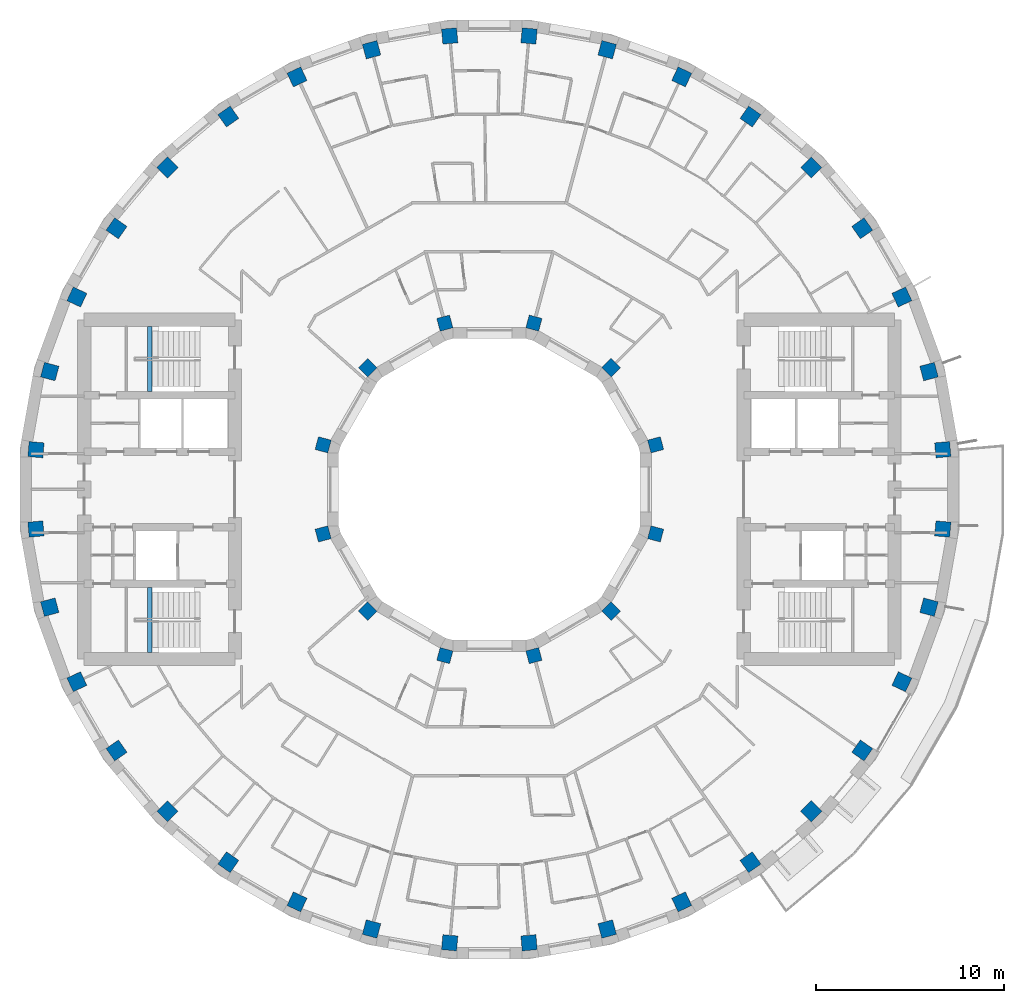
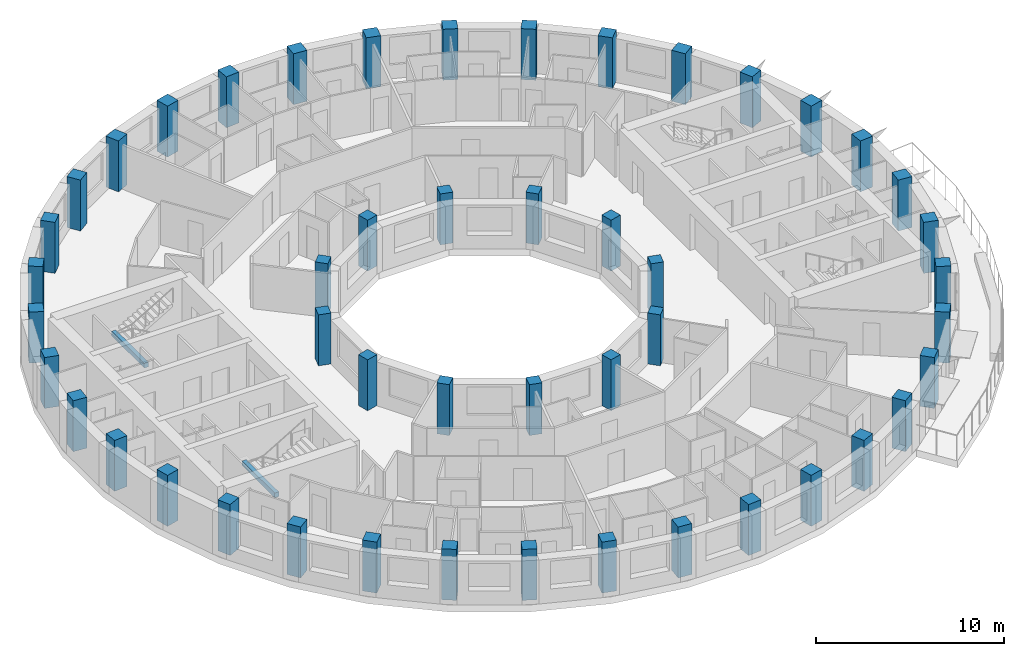
# One storey, part 1 of 14: 48 columns, 2 beams.
"""IFC4 building model written with IfcOpenShell, lengths in metres."""

from ifc_helpers import new_model, si_unit, direction, frame, origin, origin_2d, place, context, subcontext, project, spatial, rectangle, extrude, material, material_profile, profile_set, type_object, element, save


model = new_model("IFC4")

# Units and contexts
model_context = context("Model", 3, precision=1e-05, world=origin(), true_north=direction((0.0, 1.0)))
body_context = subcontext(model_context, "Body", "Model", "MODEL_VIEW")
ifc_project = project(units=[si_unit("LENGTHUNIT", "METRE"), si_unit("AREAUNIT", "SQUARE_METRE"), si_unit("VOLUMEUNIT", "CUBIC_METRE"), si_unit("PLANEANGLEUNIT", "RADIAN"), si_unit("MASSUNIT", "GRAM", prefix="KILO")], contexts=[model_context])

# Site, building, storey
site_placement = place(None, origin())
site = spatial("IfcSite", under=ifc_project, at=site_placement, CompositionType="ELEMENT")
building_placement = place(site_placement, origin())
building = spatial("IfcBuilding", under=site, at=building_placement, Name="Saqina Gate Tower", CompositionType="ELEMENT")
storey_placement = place(building_placement, frame((0.0, 0.0, 177.300048828125)))
storey = spatial("IfcBuildingStorey", under=building, at=storey_placement, Name="L50", CompositionType="ELEMENT", Elevation=177.300048828125)

# Columns
ifc_material_1 = material(Name="Concrete C60/75", Category="concrete")
ifc_material_profile_1 = material_profile(ifc_material_1, rectangle(XDim=0.699951171875, YDim=0.699951171875, at=origin_2d()), Name="RC 700x700")
ifc_profile_set_1 = profile_set([ifc_material_profile_1], Name="Concrete C60/75")
column_type_1 = type_object("IfcColumnType", Name="STR-COL-IN-C", PredefinedType="COLUMN", material=ifc_profile_set_1)
for number, where, z_axis, x_axis, name in (
    (1, (8.821044921875, 2.363525390625, 0.0), (0.0, 0.0, 1.0), (0.965925826289, 0.258819045103, 0.0), "L50-ICL01"),
    (2, (6.45751953125, 6.45751953125, 0.0), (0.0, 0.0, 1.0), (0.707106781187, 0.707106781187, 0.0), "L50-ICL02"),
    (3, (2.363525390625, 8.821044921875, 0.0), (0.0, 0.0, 1.0), (0.258819045103, 0.965925826289, 0.0), "L50-ICL03"),
    (4, (-2.363525390625, 8.821044921875, 0.0), (0.0, 0.0, 1.0), (-0.258819045103, 0.965925826289, 0.0), "L50-ICL04"),
    (5, (-6.45751953125, 6.45751953125, 0.0), (0.0, 0.0, 1.0), (-0.707106781187, 0.707106781187, 0.0), "L50-ICL05"),
    (6, (-8.821044921875, 2.363525390625, 0.0), (0.0, 0.0, 1.0), (-0.965925826289, 0.258819045103, 0.0), "L50-ICL06"),
    (7, (-8.821044921875, -2.363525390625, 0.0), (0.0, 0.0, 1.0), (-0.965925826289, -0.258819045103, 0.0), "L50-ICL07"),
    (8, (-6.45751953125, -6.45751953125, 0.0), (0.0, 0.0, 1.0), (-0.707106781187, -0.707106781187, 0.0), "L50-ICL08"),
    (9, (-2.363525390625, -8.821044921875, 0.0), (0.0, 0.0, 1.0), (-0.258819045103, -0.965925826289, 0.0), "L50-ICL09"),
    (10, (2.363525390625, -8.821044921875, 0.0), (0.0, 0.0, 1.0), (0.258819045103, -0.965925826289, 0.0), "L50-ICL10"),
    (11, (6.45751953125, -6.45751953125, 0.0), (0.0, 0.0, 1.0), (0.707106781187, -0.707106781187, 0.0), "L50-ICL11"),
    (12, (8.821044921875, -2.363525390625, 0.0), (0.0, 0.0, 1.0), (0.965925826289, -0.258819045103, 0.0), "L50-ICL12"),
):
    element("IfcColumn", number, at=place(storey_placement, frame(where, z_axis=z_axis, x_axis=x_axis)), inside=storey, type_object=column_type_1, Name=name, PredefinedType="COLUMN", context=body_context, shape_type="SweptSolid", body=[
        extrude(rectangle(XDim=0.699951171875, YDim=0.699951171875, at=origin_2d()), origin(), (0.0, 0.0, 1.0), 3.300048828125),
    ])
ifc_material_2 = material(Name="Concrete C60/75", Category="concrete")
ifc_material_profile_2 = material_profile(ifc_material_2, rectangle(XDim=0.800048828125, YDim=0.800048828125, at=origin_2d()), Name="RC 800x800")
ifc_profile_set_2 = profile_set([ifc_material_profile_2], Name="Concrete C60/75")
column_type_2 = type_object("IfcColumnType", Name="STR-COL-OUT-C", PredefinedType="COLUMN", material=ifc_profile_set_2)
for number, where, z_axis, x_axis, name in (
    (13, (24.05810546875, 2.104736328125, 0.0), (0.0, 0.0, 1.0), (0.996194698092, 0.087155742748, 0.0), "L50-COL01"),
    (14, (23.3271484375, 6.25048828125, 0.0), (0.0, 0.0, 1.0), (0.965925826289, 0.258819045103, 0.0), "L50-COL02"),
    (15, (21.887451171875, 10.206298828125, 0.0), (0.0, 0.0, 1.0), (0.906307787037, 0.422618261741, 0.0), "L50-COL03"),
    (16, (19.782470703125, 13.851806640625, 0.0), (0.0, 0.0, 1.0), (0.819152044289, 0.573576436351, 0.0), "L50-COL04"),
    (17, (17.07666015625, 17.07666015625, 0.0), (0.0, 0.0, 1.0), (0.707106781187, 0.707106781187, 0.0), "L50-COL05"),
    (18, (13.851806640625, 19.782470703125, 0.0), (0.0, 0.0, 1.0), (0.573576436351, 0.819152044289, 0.0), "L50-COL06"),
    (19, (10.206298828125, 21.887451171875, 0.0), (0.0, 0.0, 1.0), (0.422618261741, 0.906307787037, 0.0), "L50-COL07"),
    (20, (6.25048828125, 23.3271484375, 0.0), (0.0, 0.0, 1.0), (0.258819045103, 0.965925826289, 0.0), "L50-COL08"),
    (21, (2.104736328125, 24.05810546875, 0.0), (0.0, 0.0, 1.0), (0.087155742748, 0.996194698092, 0.0), "L50-COL09"),
    (22, (-2.104736328125, 24.05810546875, 0.0), (0.0, 0.0, 1.0), (-0.087155742748, 0.996194698092, 0.0), "L50-COL10"),
    (23, (-6.25048828125, 23.3271484375, 0.0), (0.0, 0.0, 1.0), (-0.258819045103, 0.965925826289, 0.0), "L50-COL11"),
    (24, (-10.206298828125, 21.887451171875, 0.0), (0.0, 0.0, 1.0), (-0.422618261741, 0.906307787037, 0.0), "L50-COL12"),
    (25, (-13.851806640625, 19.782470703125, 0.0), (0.0, 0.0, 1.0), (-0.573576436351, 0.819152044289, 0.0), "L50-COL13"),
    (26, (-17.07666015625, 17.07666015625, 0.0), (0.0, 0.0, 1.0), (-0.707106781187, 0.707106781187, 0.0), "L50-COL14"),
    (27, (-19.782470703125, 13.851806640625, 0.0), (0.0, 0.0, 1.0), (-0.819152044289, 0.573576436351, 0.0), "L50-COL15"),
    (28, (-21.887451171875, 10.206298828125, 0.0), (0.0, 0.0, 1.0), (-0.906307787037, 0.422618261741, 0.0), "L50-COL16"),
    (29, (-23.3271484375, 6.25048828125, 0.0), (0.0, 0.0, 1.0), (-0.965925826289, 0.258819045103, 0.0), "L50-COL17"),
    (30, (-24.05810546875, 2.104736328125, 0.0), (0.0, 0.0, 1.0), (-0.996194698092, 0.087155742748, 0.0), "L50-COL18"),
    (31, (-24.05810546875, -2.104736328125, 0.0), (0.0, 0.0, 1.0), (-0.996194698092, -0.087155742748, 0.0), "L50-COL19"),
    (32, (-23.3271484375, -6.25048828125, 0.0), (0.0, 0.0, 1.0), (-0.965925826289, -0.258819045103, 0.0), "L50-COL20"),
    (33, (-21.887451171875, -10.206298828125, 0.0), (0.0, 0.0, 1.0), (-0.906307787037, -0.422618261741, 0.0), "L50-COL21"),
    (34, (-19.782470703125, -13.851806640625, 0.0), (0.0, 0.0, 1.0), (-0.819152044289, -0.573576436351, 0.0), "L50-COL22"),
    (35, (-17.07666015625, -17.07666015625, 0.0), (0.0, 0.0, 1.0), (-0.707106781187, -0.707106781187, 0.0), "L50-COL23"),
    (36, (-13.851806640625, -19.782470703125, 0.0), (0.0, 0.0, 1.0), (-0.573576436351, -0.819152044289, 0.0), "L50-COL24"),
    (37, (-10.206298828125, -21.887451171875, 0.0), (0.0, 0.0, 1.0), (-0.422618261741, -0.906307787037, 0.0), "L50-COL25"),
    (38, (-6.25048828125, -23.3271484375, 0.0), (0.0, 0.0, 1.0), (-0.258819045103, -0.965925826289, 0.0), "L50-COL26"),
    (39, (-2.104736328125, -24.05810546875, 0.0), (0.0, 0.0, 1.0), (-0.087155742748, -0.996194698092, 0.0), "L50-COL27"),
    (40, (2.104736328125, -24.05810546875, 0.0), (0.0, 0.0, 1.0), (0.087155742748, -0.996194698092, 0.0), "L50-COL28"),
    (41, (6.25048828125, -23.3271484375, 0.0), (0.0, 0.0, 1.0), (0.258819045103, -0.965925826289, 0.0), "L50-COL29"),
    (42, (10.206298828125, -21.887451171875, 0.0), (0.0, 0.0, 1.0), (0.422618261741, -0.906307787037, 0.0), "L50-COL30"),
    (43, (13.851806640625, -19.782470703125, 0.0), (0.0, 0.0, 1.0), (0.573576436351, -0.819152044289, 0.0), "L50-COL31"),
    (44, (17.07666015625, -17.07666015625, 0.0), (0.0, 0.0, 1.0), (0.707106781187, -0.707106781187, 0.0), "L50-COL32"),
    (45, (19.782470703125, -13.851806640625, 0.0), (0.0, 0.0, 1.0), (0.819152044289, -0.573576436351, 0.0), "L50-COL33"),
    (46, (21.887451171875, -10.206298828125, 0.0), (0.0, 0.0, 1.0), (0.906307787037, -0.422618261741, 0.0), "L50-COL34"),
    (47, (23.3271484375, -6.25048828125, 0.0), (0.0, 0.0, 1.0), (0.965925826289, -0.258819045103, 0.0), "L50-COL35"),
    (48, (24.05810546875, -2.104736328125, 0.0), (0.0, 0.0, 1.0), (0.996194698092, -0.087155742748, 0.0), "L50-COL36"),
):
    element("IfcColumn", number, at=place(storey_placement, frame(where, z_axis=z_axis, x_axis=x_axis)), inside=storey, type_object=column_type_2, Name=name, PredefinedType="COLUMN", context=body_context, shape_type="SweptSolid", body=[
        extrude(rectangle(XDim=0.800048828125, YDim=0.800048828125, at=origin_2d()), origin(), (0.0, 0.0, 1.0), 3.300048828125),
    ])

# Beams
ifc_material_3 = material(Name="Concrete C40/50", Category="concrete")
ifc_material_profile_3 = material_profile(ifc_material_3, rectangle(XDim=0.25, YDim=0.300048828125, at=origin_2d()), Name="STAIR LANDING BEAM")
ifc_profile_set_3 = profile_set([ifc_material_profile_3], Name="Concrete C40/50")
beam_type = type_object("IfcBeamType", Name="STAIR LANDING BEAM", PredefinedType="BEAM", material=ifc_profile_set_3)
for number, where, z_axis, x_axis, name in (
    (49, (-18.02001953125, 5.199951171875, 1.25), (0.0, 1.0, 0.0), (-1.0, 0.0, 0.0), "EXIT STAIR 3 LANDING BEAM"),
    (50, (-18.02001953125, -8.64990234375, 1.25), (0.0, 1.0, 0.0), (-1.0, 0.0, 0.0), "EXIT STAIR 4 LANDING BEAM"),
):
    element("IfcBeam", number, at=place(storey_placement, frame(where, z_axis=z_axis, x_axis=x_axis)), inside=storey, type_object=beam_type, Name=name, PredefinedType="BEAM", context=body_context, shape_type="SweptSolid", body=[
        extrude(rectangle(XDim=0.25, YDim=0.300048828125, at=origin_2d()), origin(), (0.0, 0.0, 1.0), 3.449951171875),
    ])

save(model, "model.ifc")
